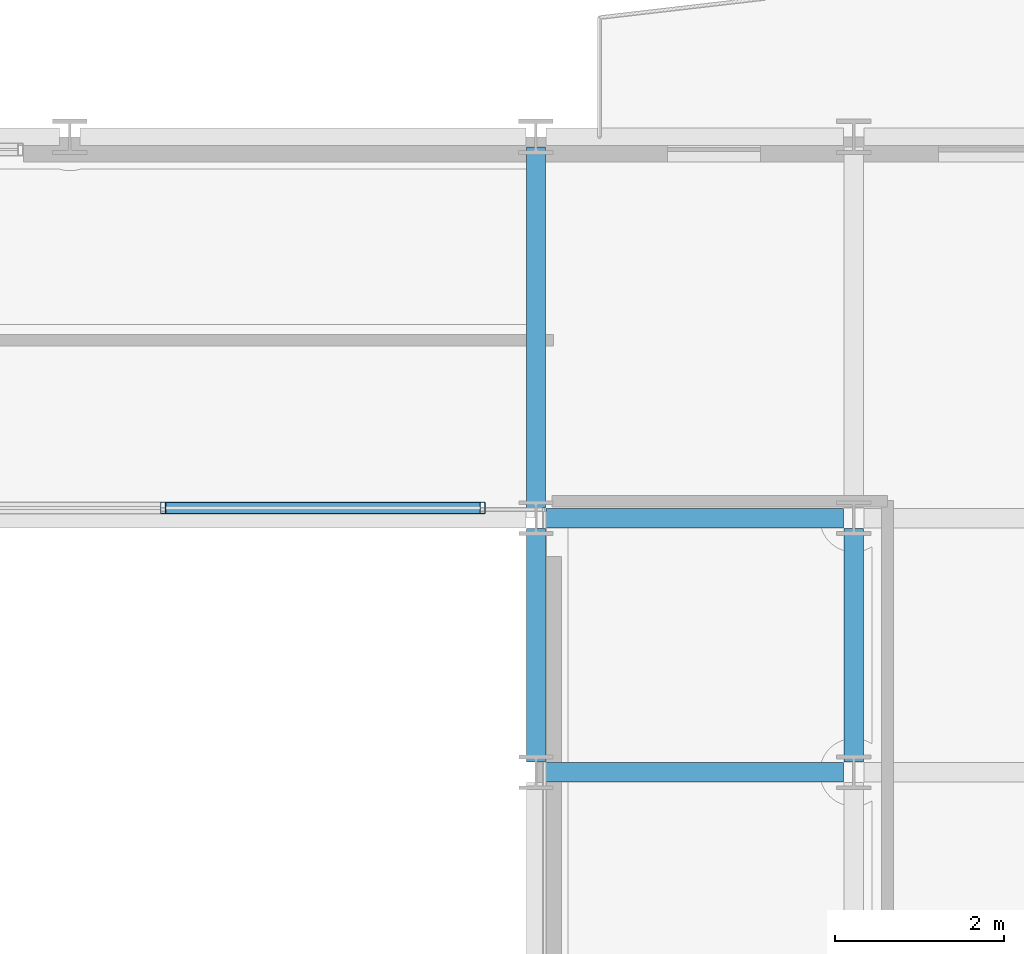
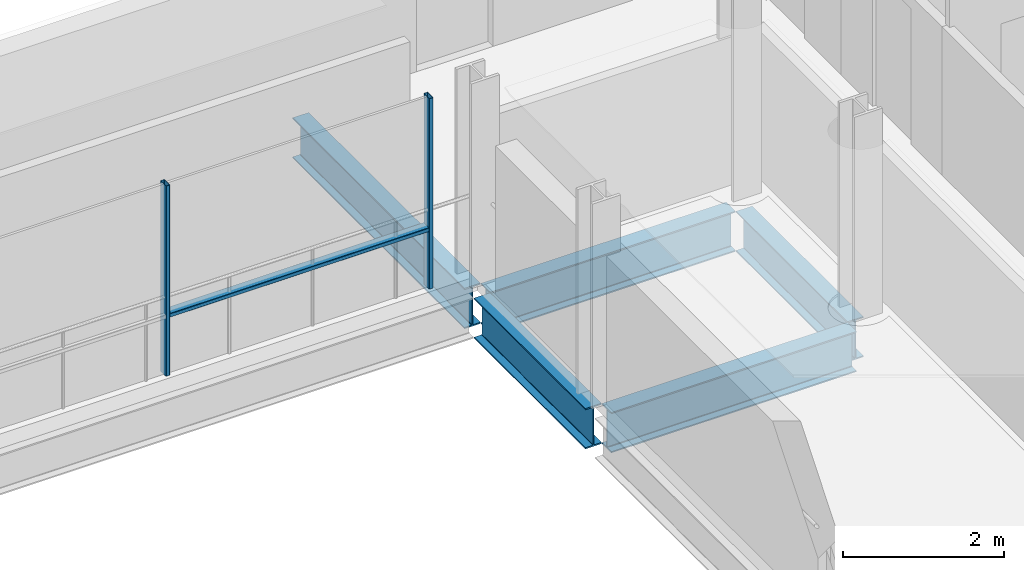
# One storey, part 19 of 41: 5 beams, 3 members, 1 element without a shape of its own.
"""IFC4 building model written with IfcOpenShell, lengths in metres."""

import ifcopenshell
import ifcopenshell.guid

model = None  # the IFC model being written
_history = None  # IfcOwnerHistory: only IFC2X3 demands one
_inside = {}  # id of a spatial element -> (the spatial element, [elements in it])
_under = {}  # id of a project, library or spatial element -> (it, [spatial elements below it])
_declared = {}  # id of a project -> (the project, [libraries it declares])
_typed = {}  # id of a type object -> (the type object, [elements of that type])
_made_of = {}  # id of a material, layer set ... -> (it, [elements and type objects made of it])


def new_model(schema):
    """Start an empty IFC model of exactly this schema.

    Asked for "IFC4X3", IfcOpenShell would pick the latest addendum, in which some entities
    have other attributes; the version numbers below select the first issue.
    IFC2X3 requires an IfcOwnerHistory on every rooted entity: one is made here for all.
    """
    global model, _history
    if schema == "IFC4X3":
        model = ifcopenshell.file(schema_version=(4, 3, 0, 0))
    else:
        model = ifcopenshell.file(schema=schema)
    _inside.clear()
    _under.clear()
    _declared.clear()
    _typed.clear()
    _made_of.clear()
    _history = None
    if model.schema == "IFC2X3":
        org = make("IfcOrganization", Name="unknown")
        user = make(
            "IfcPersonAndOrganization",
            ThePerson=make("IfcPerson", FamilyName="unknown"),
            TheOrganization=org,
        )
        app = make(
            "IfcApplication",
            ApplicationDeveloper=org,
            Version="unknown",
            ApplicationFullName="unknown",
            ApplicationIdentifier="unknown",
        )
        _history = make(
            "IfcOwnerHistory",
            OwningUser=user,
            OwningApplication=app,
            ChangeAction="ADDED",
            CreationDate=0,
        )
    return model


def make(cls, **values):
    """One entity of the class cls with the attributes given. An attribute that is None is left unset."""
    return model.create_entity(
        cls, **{name: value for name, value in values.items() if value is not None}
    )


def rooted(cls, **values):
    """An entity with a GlobalId (a new one), such as an element, a storey or a relation."""
    return make(cls, GlobalId=ifcopenshell.guid.new(), OwnerHistory=_history, **values)


def si_unit(unit_type, name, prefix=None):
    """IfcSIUnit, for example si_unit("LENGTHUNIT", "METRE", prefix="MILLI")."""
    return make("IfcSIUnit", UnitType=unit_type, Prefix=prefix, Name=name)


def assignment(units):
    """IfcUnitAssignment: the units of a project."""
    return None if units is None else make("IfcUnitAssignment", Units=units)


def point(xyz):
    """IfcCartesianPoint."""
    return None if xyz is None else make("IfcCartesianPoint", Coordinates=xyz)


def direction(xyz):
    """IfcDirection."""
    return None if xyz is None else make("IfcDirection", DirectionRatios=xyz)


def frame(location, z_axis=None, x_axis=None):
    """IfcAxis2Placement3D, a coordinate frame: its origin and axes. An axis left out is left unset."""
    return make(
        "IfcAxis2Placement3D",
        Location=point(location),
        Axis=direction(z_axis),
        RefDirection=direction(x_axis),
    )


def frame_2d(location, x_axis=None):
    """IfcAxis2Placement2D, a coordinate frame in the plane: its origin and x axis."""
    return make(
        "IfcAxis2Placement2D", Location=point(location), RefDirection=direction(x_axis)
    )


def origin():
    """The frame at (0, 0, 0) with its axes left unset."""
    return frame((0.0, 0.0, 0.0))


def origin_2d():
    """The frame at (0, 0) in the plane with its x axis left unset."""
    return frame_2d((0.0, 0.0))


def place(relative_to, where):
    """IfcLocalPlacement: puts the frame where relative to a parent placement (None: the world)."""
    return make(
        "IfcLocalPlacement", PlacementRelTo=relative_to, RelativePlacement=where
    )


def context(
    kind, dimensions, precision=None, world=None, true_north=None, identifier=None
):
    """IfcGeometricRepresentationContext, for example the 3D "Model" context."""
    return make(
        "IfcGeometricRepresentationContext",
        ContextIdentifier=identifier,
        ContextType=kind,
        CoordinateSpaceDimension=dimensions,
        Precision=precision,
        WorldCoordinateSystem=world,
        TrueNorth=true_north,
    )


def subcontext(parent, identifier, kind, view, scale=None):
    """IfcGeometricRepresentationSubContext, for example "Body" below "Model"."""
    return make(
        "IfcGeometricRepresentationSubContext",
        ContextIdentifier=identifier,
        ContextType=kind,
        ParentContext=parent,
        TargetScale=scale,
        TargetView=view,
    )


def project(units=None, contexts=None):
    """IfcProject with its units and contexts."""
    return rooted(
        "IfcProject",
        Name="project",
        RepresentationContexts=contexts,
        UnitsInContext=assignment(units),
    )


def spatial(cls, under=None, at=None, **own):
    """A site, building, storey or space (cls), placed at a placement, below another one or the project."""
    s = rooted(cls, ObjectPlacement=at, **own)
    if under is not None:
        _under.setdefault(under.id(), (under, []))[1].append(s)
    return s


def profile(cls, at=None, kind="AREA", **sizes):
    """A parametric profile (cls). Its sizes go by their IFC names, for example OverallWidth=200.0."""
    return make(cls, ProfileType=kind, Position=at, **sizes)


def hollow_rectangle(**sizes):
    """IfcRectangleHollowProfileDef."""
    return profile("IfcRectangleHollowProfileDef", **sizes)


def i_section(**sizes):
    """IfcIShapeProfileDef."""
    return profile("IfcIShapeProfileDef", **sizes)


def extrude(swept, where, along, depth):
    """IfcExtrudedAreaSolid: the profile swept, set in the frame where, extruded along a direction by depth."""
    return make(
        "IfcExtrudedAreaSolid",
        SweptArea=swept,
        Position=where,
        ExtrudedDirection=direction(along),
        Depth=depth,
    )


def shape(context_of_items, identifier, shape_type, items):
    """IfcShapeRepresentation: the items that make up one representation, for example the "Body"."""
    return make(
        "IfcShapeRepresentation",
        ContextOfItems=context_of_items,
        RepresentationIdentifier=identifier,
        RepresentationType=shape_type,
        Items=items,
    )


def material(Name=None, Category=None):
    """IfcMaterial."""
    return make("IfcMaterial", Name=Name, Category=Category)


def layer(
    of_material, thickness, ventilated=None, Name=None, Category=None, Priority=None
):
    """IfcMaterialLayer: one layer of a wall or slab, of a material (None: an air gap)."""
    return make(
        "IfcMaterialLayer",
        Material=of_material,
        LayerThickness=thickness,
        IsVentilated=ventilated,
        Name=Name,
        Category=Category,
        Priority=Priority,
    )


def layer_set(layers, Name=None):
    """IfcMaterialLayerSet."""
    return make("IfcMaterialLayerSet", MaterialLayers=layers, LayerSetName=Name)


def material_profile(
    of_material, cross_section, Name=None, Category=None, Priority=None
):
    """IfcMaterialProfile: a cross section and its material."""
    return make(
        "IfcMaterialProfile",
        Name=Name,
        Material=of_material,
        Profile=cross_section,
        Priority=Priority,
        Category=Category,
    )


def profile_set(profiles, Name=None, composite=None):
    """IfcMaterialProfileSet."""
    return make(
        "IfcMaterialProfileSet",
        Name=Name,
        MaterialProfiles=profiles,
        CompositeProfile=composite,
    )


def made_of(thing, what):
    """Note that an element or type object is made of a material, layer set ...; save() writes the relation."""
    if what is not None:
        _made_of.setdefault(what.id(), (what, []))[1].append(thing)
    return thing


def type_object(cls, material=None, **own):
    """A type object (cls), such as IfcWallType, which elements share."""
    return made_of(rooted(cls, **own), material)


def element(
    cls,
    number,
    at=None,
    inside=None,
    cuts=None,
    type_object=None,
    material=None,
    context=None,
    identifier="Body",
    shape_type=None,
    held_by="IfcProductDefinitionShape",
    body=None,
    shapes=None,
    **own,
):
    """One element of the class cls, such as IfcWall. Its Tag is "e" and its number.

    at: its placement. inside: the storey or other place that contains it. cuts: it is an
    opening in that element (IfcRelVoidsElement). A single representation is given by context,
    identifier, shape_type and body (its items); several are given by shapes. held_by: the class
    of the entity that holds the representations. save() writes the other relations.
    """
    e = rooted(cls, Tag="e%d" % number, ObjectPlacement=at, **own)
    if body is not None:
        shapes = [shape(context, identifier, shape_type, body)]
    if shapes is not None:
        e.Representation = make(held_by, Representations=shapes)
    if inside is not None:
        _inside.setdefault(inside.id(), (inside, []))[1].append(e)
    if cuts is not None:
        rooted(
            "IfcRelVoidsElement", RelatingBuildingElement=cuts, RelatedOpeningElement=e
        )
    if type_object is not None:
        _typed.setdefault(type_object.id(), (type_object, []))[1].append(e)
    return made_of(e, material)


def aggregate(whole, parts):
    """IfcRelAggregates: a whole, such as a stair, and the parts it consists of."""
    return rooted("IfcRelAggregates", RelatingObject=whole, RelatedObjects=parts)


def save(model, path):
    """Write the relations noted so far, then the file.

    IfcRelAggregates (storeys below a building ...), IfcRelContainedInSpatialStructure (elements
    in a storey), IfcRelDefinesByType, IfcRelAssociatesMaterial and IfcRelDeclares: one each for
    every whole, place, type object, material and project.
    """
    for whole, parts in _under.values():
        aggregate(whole, parts)
    for where, things in _inside.values():
        rooted(
            "IfcRelContainedInSpatialStructure",
            RelatedElements=things,
            RelatingStructure=where,
        )
    for kind, things in _typed.values():
        rooted("IfcRelDefinesByType", RelatedObjects=things, RelatingType=kind)
    for what, things in _made_of.values():
        rooted("IfcRelAssociatesMaterial", RelatedObjects=things, RelatingMaterial=what)
    for by, libraries in _declared.values():
        rooted("IfcRelDeclares", RelatingContext=by, RelatedDefinitions=libraries)
    model.write(path)


model = new_model("IFC4")

# Units and contexts
model_context = context("Model", 3, precision=1e-05, world=origin(), true_north=direction((0.0, 1.0)))
body_context = subcontext(model_context, "Body", "Model", "MODEL_VIEW")
ifc_project = project(units=[si_unit("LENGTHUNIT", "METRE"), si_unit("AREAUNIT", "SQUARE_METRE"), si_unit("VOLUMEUNIT", "CUBIC_METRE"), si_unit("PLANEANGLEUNIT", "RADIAN"), si_unit("MASSUNIT", "GRAM", prefix="KILO")], contexts=[model_context])

# Site, building, storey
site_placement = place(None, origin())
site = spatial("IfcSite", under=ifc_project, at=site_placement, CompositionType="ELEMENT")
building_placement = place(site_placement, origin())
building = spatial("IfcBuilding", under=site, at=building_placement, Name="Brevholm Reach", CompositionType="ELEMENT")
storey_placement = place(building_placement, frame((0.0, 0.0, 138.699951171875)))
storey = spatial("IfcBuildingStorey", under=building, at=storey_placement, Name="L41", CompositionType="ELEMENT", Elevation=138.699951171875)

# Beams
ifc_material_1 = material(Name="Structural Steel S355J2", Category="steel")
ifc_material_profile_1 = material_profile(ifc_material_1, i_section(OverallWidth=0.22900390625, OverallDepth=0.6123046875, WebThickness=0.011962890625, FlangeThickness=0.01953125, FilletRadius=0.0126953125, at=origin_2d()), Name="UKB 610x229x125")
ifc_profile_set_1 = profile_set([ifc_material_profile_1], Name="Structural Steel S355J2")
beam_type = type_object("IfcBeamType", Name="BM-SP610", PredefinedType="SPANDREL", material=ifc_profile_set_1)
for number, where, z_axis, x_axis, name in (
    (1, (38.3701171875, 23.5, -0.526123046875), (1.0, 0.0, 0.0), (0.0, 1.0, 0.0), "L41 SP-01 Framing Beam"),
    (2, (38.3701171875, 26.5, -0.526123046875), (1.0, 0.0, 0.0), (0.0, 1.0, 0.0), "L41 SP-01 Framing Beam"),
):
    element("IfcBeam", number, at=place(storey_placement, frame(where, z_axis=z_axis, x_axis=x_axis)), inside=storey, type_object=beam_type, Name=name, PredefinedType="SPANDREL", context=body_context, shape_type="SweptSolid", body=[
        extrude(i_section(OverallWidth=0.22900390625, OverallDepth=0.6123046875, WebThickness=0.011962890625, FlangeThickness=0.01953125, FilletRadius=0.0126953125, at=origin_2d()), origin(), (0.0, 0.0, 1.0), 3.509765625),
    ])
beam_1_placement = place(storey_placement, frame((38.25, 23.6201171875, -0.526123046875), z_axis=(0.0, 1.0, 0.0), x_axis=(-1.0, 0.0, 0.0)))
element("IfcBeam", 3, at=beam_1_placement, inside=storey, type_object=beam_type, Name="L41 SP-01 Framing Beam", PredefinedType="SPANDREL", context=body_context, shape_type="SweptSolid", body=[
    extrude(i_section(OverallWidth=0.22900390625, OverallDepth=0.6123046875, WebThickness=0.011962890625, FlangeThickness=0.01953125, FilletRadius=0.0126953125, at=origin_2d()), origin(), (0.0, 0.0, 1.0), 2.759765625),
])
beam_2_placement = place(storey_placement, frame((38.25, 26.6201171875, -0.526123046875), z_axis=(0.0, 1.0, 0.0), x_axis=(-1.0, 0.0, 0.0)))
element("IfcBeam", 4, at=beam_2_placement, inside=storey, type_object=beam_type, Name="L41 SP-01 Framing Beam", PredefinedType="SPANDREL", context=body_context, shape_type="SweptSolid", body=[
    extrude(i_section(OverallWidth=0.22900390625, OverallDepth=0.6123046875, WebThickness=0.011962890625, FlangeThickness=0.01953125, FilletRadius=0.0126953125, at=origin_2d()), origin(), (0.0, 0.0, 1.0), 4.259765625),
])
beam_3_placement = place(storey_placement, frame((42.0, 23.6201171875, -0.526123046875), z_axis=(0.0, 1.0, 0.0), x_axis=(-1.0, 0.0, 0.0)))
element("IfcBeam", 5, at=beam_3_placement, inside=storey, type_object=beam_type, Name="L41 SP-01 Framing Beam", PredefinedType="SPANDREL", context=body_context, shape_type="SweptSolid", body=[
    extrude(i_section(OverallWidth=0.22900390625, OverallDepth=0.6123046875, WebThickness=0.011962890625, FlangeThickness=0.01953125, FilletRadius=0.0126953125, at=origin_2d()), origin(), (0.0, 0.0, 1.0), 2.759765625),
])

# Curtain wall, members
ifc_material_2 = material(Name="Dark Anodised Aluminium 6063-T6 and Solar-Control Glass", Category="aluminium")
ifc_layer = layer(ifc_material_2, 0.139892578125)
ifc_layer_set = layer_set([ifc_layer], Name="Dark Anodised Aluminium 6063-T6 and Solar-Control Glass")
curtain_wall_type = type_object("IfcCurtainWallType", Name="CW-02", PredefinedType="NOTDEFINED", material=ifc_layer_set)
curtain_wall_placement = place(storey_placement, origin())
curtain_wall = element("IfcCurtainWall", 6, at=curtain_wall_placement, inside=storey, type_object=curtain_wall_type, Name="L41 Curtain Wall CW-02", PredefinedType="NOTDEFINED")
ifc_material_3 = material(Name="Dark Anodised Aluminium 6063-T6", Category="aluminium")
ifc_material_profile_2 = material_profile(ifc_material_3, hollow_rectangle(XDim=0.06005859375, YDim=0.139892578125, WallThickness=0.0048828125, InnerFilletRadius=0.0048828125, OuterFilletRadius=0.010009765625, at=origin_2d()), Name="RHS 140x60x5")
ifc_profile_set_2 = profile_set([ifc_material_profile_2], Name="Dark Anodised Aluminium 6063-T6")
member_type_1 = type_object("IfcMemberType", Name="CWM-140", PredefinedType="MULLION", material=ifc_profile_set_2)
member_1_placement = place(storey_placement, frame((37.6201171875, 26.6201171875, 0.0), z_axis=(0.0, 0.0, 1.0), x_axis=(-1.0, 0.0, 0.0)))
member_1 = element("IfcMember", 7, at=member_1_placement, type_object=member_type_1, Name="CM-140 Mullion 1", PredefinedType="MULLION", context=body_context, shape_type="SweptSolid", body=[
    extrude(hollow_rectangle(XDim=0.06005859375, YDim=0.139892578125, WallThickness=0.0048828125, InnerFilletRadius=0.0048828125, OuterFilletRadius=0.010009765625, at=origin_2d()), origin(), (0.0, 0.0, 1.0), 2.880126953125),
])
member_2_placement = place(storey_placement, frame((33.85009765625, 26.6201171875, 0.0), z_axis=(0.0, 0.0, 1.0), x_axis=(-1.0, 0.0, 0.0)))
member_2 = element("IfcMember", 8, at=member_2_placement, type_object=member_type_1, Name="CM-140 Mullion 2", PredefinedType="MULLION", context=body_context, shape_type="SweptSolid", body=[
    extrude(hollow_rectangle(XDim=0.06005859375, YDim=0.139892578125, WallThickness=0.0048828125, InnerFilletRadius=0.0048828125, OuterFilletRadius=0.010009765625, at=origin_2d()), origin(), (0.0, 0.0, 1.0), 2.880126953125),
])
ifc_material_4 = material(Name="Dark Anodised Aluminium 6063-T6", Category="aluminium")
ifc_material_profile_3 = material_profile(ifc_material_4, hollow_rectangle(XDim=0.06005859375, YDim=0.139892578125, WallThickness=0.0048828125, InnerFilletRadius=0.0048828125, OuterFilletRadius=0.010009765625, at=origin_2d()), Name="RHS 140x60x5")
ifc_profile_set_3 = profile_set([ifc_material_profile_3], Name="Dark Anodised Aluminium 6063-T6")
member_type_2 = type_object("IfcMemberType", Name="CWT-140", PredefinedType="NOTDEFINED", material=ifc_profile_set_3)
member_3_placement = place(storey_placement, frame((37.590087890625, 26.6201171875, 0.900146484375), z_axis=(-1.0, 0.0, 0.0), x_axis=(0.0, 0.0, 1.0)))
member_3 = element("IfcMember", 9, at=member_3_placement, type_object=member_type_2, Name="CT-140 Transom 1.1", ObjectType="TRANSOM", PredefinedType="USERDEFINED", context=body_context, shape_type="SweptSolid", body=[
    extrude(hollow_rectangle(XDim=0.06005859375, YDim=0.139892578125, WallThickness=0.0048828125, InnerFilletRadius=0.0048828125, OuterFilletRadius=0.010009765625, at=origin_2d()), origin(), (0.0, 0.0, 1.0), 3.710205078125),
])
aggregate(curtain_wall, [member_1, member_2, member_3])

save(model, "model.ifc")
